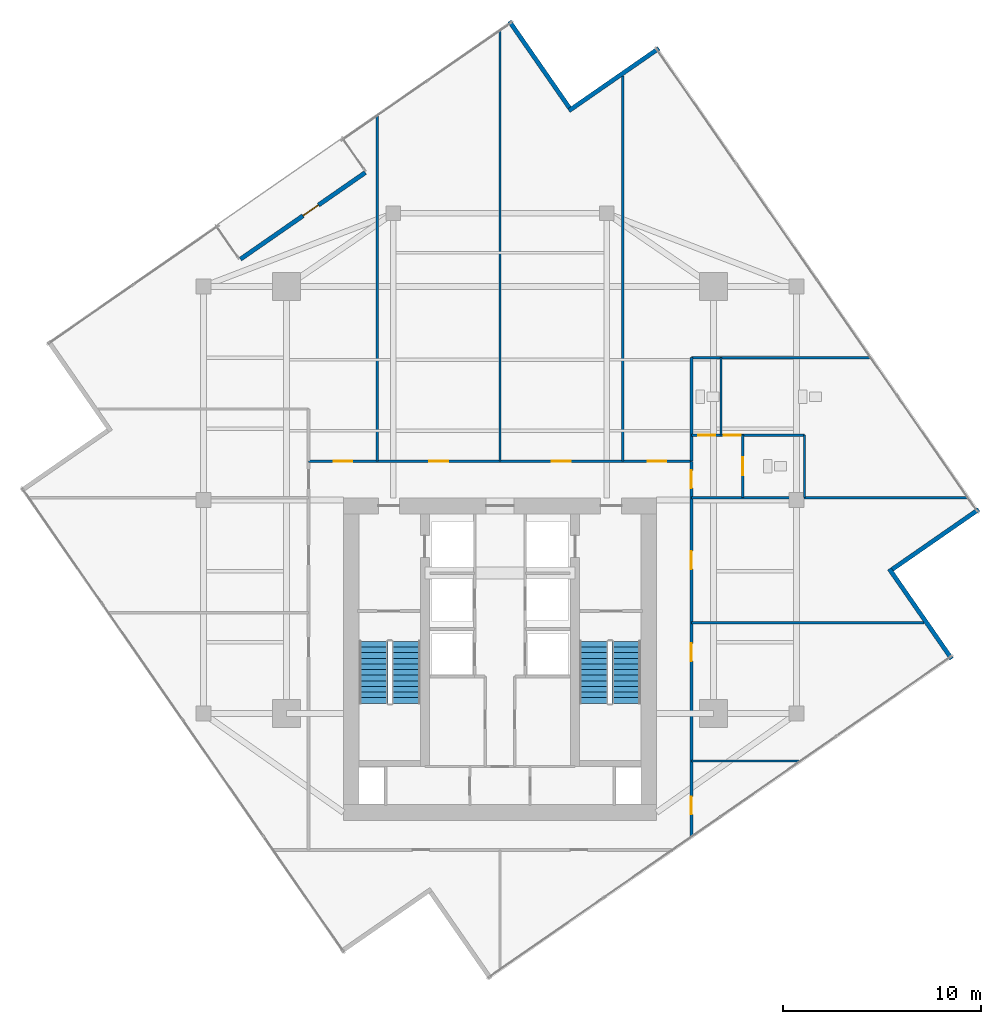
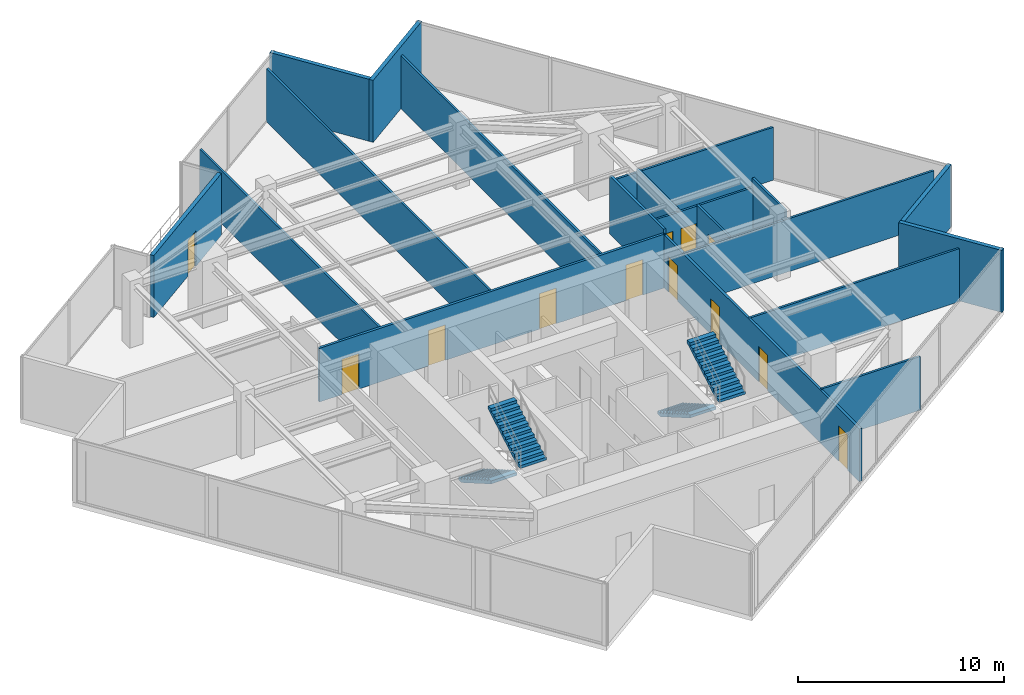
# One storey, part 19 of 21: 19 walls, 12 doors, 4 stair flights, 12 openings, 2 elements without a shape of their own.
"""IFC4 building model written with IfcOpenShell, lengths in metres."""

from ifc_helpers import new_model, si_unit, direction, frame, frame_2d, origin, place, context, subcontext, project, spatial, polyline, rectangle, outline, extrude, material, layer, layer_set, type_object, element, fill, aggregate, save


model = new_model("IFC4")

# Units and contexts
model_context = context("Model", 3, precision=1e-05, world=origin(), true_north=direction((0.0, 1.0)))
body_context = subcontext(model_context, "Body", "Model", "MODEL_VIEW")
ifc_project = project(units=[si_unit("LENGTHUNIT", "METRE"), si_unit("AREAUNIT", "SQUARE_METRE"), si_unit("VOLUMEUNIT", "CUBIC_METRE"), si_unit("PLANEANGLEUNIT", "RADIAN"), si_unit("MASSUNIT", "GRAM", prefix="KILO")], contexts=[model_context])

# Site, building, storey
site_placement = place(None, origin())
site = spatial("IfcSite", under=ifc_project, at=site_placement, CompositionType="ELEMENT")
building_placement = place(site_placement, origin())
building = spatial("IfcBuilding", under=site, at=building_placement, Name="Krantzveldt Concourse Tower", CompositionType="ELEMENT")
storey_placement = place(building_placement, frame((0.0, 0.0, 271.35009765625)))
storey = spatial("IfcBuildingStorey", under=building, at=storey_placement, Name="L66", CompositionType="ELEMENT", Elevation=271.35009765625)

# Wall
ifc_material_1 = material(Name="Anodised aluminium 6063-T6", Category="aluminium")
ifc_layer_1 = layer(ifc_material_1, 0.219970703125, Name="Anodised aluminium 6063-T6", Category="aluminium")
ifc_layer_set_1 = layer_set([ifc_layer_1], Name="Anodised aluminium 6063-T6 (WL-EXT-NOTCH220)")
wall_type_1 = type_object("IfcWallType", Name="WL-EXT-NOTCH220", PredefinedType="ELEMENTEDWALL", material=ifc_layer_set_1)
wall_1_placement = place(storey_placement, frame((39.50830078125, 46.537841796875, 0.0), z_axis=(0.0, 0.0, 1.0), x_axis=(-0.570020283612, 0.821630620334, 0.0)))
element("IfcWall", 1, at=wall_1_placement, inside=storey, type_object=wall_type_1, Name="EW-L66-NCH00", PredefinedType="ELEMENTEDWALL", context=body_context, shape_type="SweptSolid", body=[
    extrude(rectangle(XDim=5.3251953125, YDim=0.219970703125, at=frame_2d((2.66259765625, 0.0))), origin(), (0.0, 0.0, 1.0), 3.669921875),
])

# Wall, opening, door
wall_2_placement = place(storey_placement, frame((22.87158203125, 38.87890625, 0.0), z_axis=(0.0, 0.0, 1.0), x_axis=(0.821640913491, 0.570005446709, 0.0)))
wall_2 = element("IfcWall", 2, at=wall_2_placement, inside=storey, type_object=wall_type_1, Name="EW-L66-TSLOT", PredefinedType="ELEMENTEDWALL", context=body_context, shape_type="SweptSolid", body=[
    extrude(rectangle(XDim=7.68994140625, YDim=0.219970703125, at=frame_2d((3.844970703125, 0.0))), origin(), (0.0, 0.0, 1.0), 3.669921875),
])
opening_1_placement = place(wall_2_placement, frame((3.856689453125, 0.0, 0.0)))
opening_1 = element("IfcOpeningElement", 3, at=opening_1_placement, cuts=wall_2, Name="Opening D-EX95", PredefinedType="OPENING", context=body_context, shape_type="SweptSolid", body=[
    extrude(rectangle(XDim=0.949951171875, YDim=2.10009765625, at=frame_2d((0.47509765625, 1.050048828125))), frame((0.0, 0.1201171875, 0.0), z_axis=(0.0, -1.0, 0.0), x_axis=(1.0, 0.0, 0.0)), (0.0, 0.0, 1.0), 0.239990234375),
])
door_type_1 = type_object("IfcDoorType", Name="DR-EXT-950", OperationType="SINGLE_SWING_LEFT", PredefinedType="DOOR", material=ifc_material_1)
door_1_placement = place(opening_1_placement, origin())
door_1 = element("IfcDoor", 4, at=door_1_placement, inside=storey, type_object=door_type_1, Name="DR-L66-TERR", OperationType="SINGLE_SWING_LEFT", OverallHeight=2.10009765625, OverallWidth=0.949951171875, PredefinedType="DOOR", context=body_context, shape_type="SweptSolid", body=[
    extrude(rectangle(XDim=0.949951171875, YDim=2.10009765625, at=frame_2d((0.47509765625, 1.050048828125))), frame((0.0, 0.02490234375, 0.0), z_axis=(0.0, -1.0, 0.0), x_axis=(1.0, 0.0, 0.0)), (0.0, 0.0, 1.0), 0.050048828125),
])
fill(opening_1, door_1)

# Walls
wall_3_placement = place(storey_placement, frame((58.845458984375, 18.663330078125, 0.0), z_axis=(0.0, 0.0, 1.0), x_axis=(-0.569988141022, 0.821652918874, 0.0)))
element("IfcWall", 5, at=wall_3_placement, inside=storey, type_object=wall_type_1, Name="EW-L66-NCH12", PredefinedType="ELEMENTEDWALL", context=body_context, shape_type="SweptSolid", body=[
    extrude(rectangle(XDim=5.545166015625, YDim=0.219970703125, at=frame_2d((2.7724609375, 0.0))), origin(), (0.0, 0.0, 1.0), 3.669921875),
])
wall_4_placement = place(storey_placement, frame((55.837890625, 23.19189453125, 0.0), z_axis=(0.0, 0.0, 1.0), x_axis=(0.821652092748, 0.569989331903, 0.0)))
element("IfcWall", 6, at=wall_4_placement, inside=storey, type_object=wall_type_1, Name="EW-L66-NCH13", PredefinedType="ELEMENTEDWALL", context=body_context, shape_type="SweptSolid", body=[
    extrude(rectangle(XDim=5.324951171875, YDim=0.219970703125, at=frame_2d((2.66259765625, 0.0))), origin(), (0.0, 0.0, 1.0), 3.669921875),
])
wall_5_placement = place(storey_placement, frame((44.03662109375, 49.54541015625, 0.0), z_axis=(0.0, 0.0, 1.0), x_axis=(-0.821652918874, -0.569988141022, 0.0)))
element("IfcWall", 7, at=wall_5_placement, inside=storey, type_object=wall_type_1, Name="EW-L66-NCH15", PredefinedType="ELEMENTEDWALL", context=body_context, shape_type="SweptSolid", body=[
    extrude(rectangle(XDim=5.545166015625, YDim=0.219970703125, at=frame_2d((2.7724609375, 0.0))), origin(), (0.0, 0.0, 1.0), 3.669921875),
])
ifc_material_2 = material(Name="Fire-rated gypsum plasterboard on steel stud", Category="steel")
ifc_layer_2 = layer(ifc_material_2, 0.1201171875, Name="Fire-rated gypsum plasterboard on steel stud", Category="steel")
ifc_layer_set_2 = layer_set([ifc_layer_2], Name="Fire-rated gypsum plasterboard on steel stud (WL-PART-120)")
wall_type_2 = type_object("IfcWallType", Name="WL-PART-120", PredefinedType="PARTITIONING", material=ifc_layer_set_2)
wall_6_placement = place(storey_placement, frame((45.679931640625, 26.820068359375, 0.0), z_axis=(0.0, 0.0, 1.0), x_axis=(1.0, 0.0, 0.0)))
element("IfcWall", 8, at=wall_6_placement, inside=storey, type_object=wall_type_2, Name="WP-L66-WCBS", PredefinedType="PARTITIONING", context=body_context, shape_type="SweptSolid", body=[
    extrude(rectangle(XDim=13.981689453125, YDim=0.1201171875, at=frame_2d((6.99072265625, 0.0))), origin(), (0.0, 0.0, 1.0), 3.1298828125),
])
wall_7_placement = place(storey_placement, frame((45.679931640625, 33.89990234375, 0.0), z_axis=(0.0, 0.0, 1.0), x_axis=(1.0, 0.0, 0.0)))
element("IfcWall", 9, at=wall_7_placement, inside=storey, type_object=wall_type_2, Name="WP-L66-WCBN", PredefinedType="PARTITIONING", context=body_context, shape_type="SweptSolid", body=[
    extrude(rectangle(XDim=9.0703125, YDim=0.1201171875, at=frame_2d((4.53515625, 0.0))), origin(), (0.0, 0.0, 1.0), 3.1298828125),
])

# Wall, openings, doors
wall_8_placement = place(storey_placement, frame((45.679931640625, 29.97998046875, 0.0), z_axis=(0.0, 0.0, 1.0), x_axis=(1.0, 0.0, 0.0)))
wall_8 = element("IfcWall", 10, at=wall_8_placement, inside=storey, type_object=wall_type_2, Name="WP-L66-WCMH", PredefinedType="PARTITIONING", context=body_context, shape_type="SweptSolid", body=[
    extrude(rectangle(XDim=5.719970703125, YDim=0.1201171875, at=frame_2d((2.85986328125, 0.0))), origin(), (0.0, 0.0, 1.0), 3.1298828125),
])
opening_2_placement = place(wall_8_placement, frame((1.64501953125, 0.0, 0.0)))
opening_2 = element("IfcOpeningElement", 11, at=opening_2_placement, cuts=wall_8, Name="Opening D-IN085", PredefinedType="OPENING", context=body_context, shape_type="SweptSolid", body=[
    extrude(rectangle(XDim=0.85009765625, YDim=2.10009765625, at=frame_2d((0.425048828125, 1.050048828125))), frame((0.0, 0.070068359375, 0.0), z_axis=(0.0, -1.0, 0.0), x_axis=(1.0, 0.0, 0.0)), (0.0, 0.0, 1.0), 0.14013671875),
])
opening_3_placement = place(wall_8_placement, frame((0.344970703125, 0.0, 0.0)))
opening_3 = element("IfcOpeningElement", 12, at=opening_3_placement, cuts=wall_8, Name="Opening D-IN085", PredefinedType="OPENING", context=body_context, shape_type="SweptSolid", body=[
    extrude(rectangle(XDim=0.85009765625, YDim=2.10009765625, at=frame_2d((0.425048828125, 1.050048828125))), frame((0.0, 0.070068359375, 0.0), z_axis=(0.0, -1.0, 0.0), x_axis=(1.0, 0.0, 0.0)), (0.0, 0.0, 1.0), 0.14013671875),
])
ifc_material_3 = material(Name="Hardwood timber", Category="wood")
door_type_2 = type_object("IfcDoorType", Name="DR-INT-850", OperationType="SINGLE_SWING_LEFT", PredefinedType="DOOR", material=ifc_material_3)
door_2_placement = place(opening_2_placement, origin())
door_2 = element("IfcDoor", 13, at=door_2_placement, inside=storey, type_object=door_type_2, Name="DR-L66-WCM", OperationType="SINGLE_SWING_RIGHT", OverallHeight=2.10009765625, OverallWidth=0.85009765625, PredefinedType="DOOR", context=body_context, shape_type="SweptSolid", body=[
    extrude(rectangle(XDim=0.85009765625, YDim=2.10009765625, at=frame_2d((0.425048828125, 1.050048828125))), frame((0.0, 0.02490234375, 0.0), z_axis=(0.0, -1.0, 0.0), x_axis=(1.0, 0.0, 0.0)), (0.0, 0.0, 1.0), 0.050048828125),
])
fill(opening_2, door_2)
door_3_placement = place(opening_3_placement, origin())
door_3 = element("IfcDoor", 14, at=door_3_placement, inside=storey, type_object=door_type_2, Name="DR-L66-WCF", OperationType="SINGLE_SWING_LEFT", OverallHeight=2.10009765625, OverallWidth=0.85009765625, PredefinedType="DOOR", context=body_context, shape_type="SweptSolid", body=[
    extrude(rectangle(XDim=0.85009765625, YDim=2.10009765625, at=frame_2d((0.425048828125, 1.050048828125))), frame((0.0, 0.02490234375, 0.0), z_axis=(0.0, -1.0, 0.0), x_axis=(1.0, 0.0, 0.0)), (0.0, 0.0, 1.0), 0.050048828125),
])
fill(opening_3, door_3)

# Wall
wall_9_placement = place(storey_placement, frame((51.39990234375, 26.820068359375, 0.0), z_axis=(0.0, 0.0, 1.0), x_axis=(0.0, 1.0, 0.0)))
element("IfcWall", 15, at=wall_9_placement, inside=storey, type_object=wall_type_2, Name="WP-L66-WCAR", PredefinedType="PARTITIONING", context=body_context, shape_type="SweptSolid", body=[
    extrude(rectangle(XDim=3.159912109375, YDim=0.1201171875, at=frame_2d((1.580078125, 0.0))), origin(), (0.0, 0.0, 1.0), 3.669921875),
])

# Wall, opening, door
wall_10_placement = place(storey_placement, frame((48.280029296875, 26.820068359375, 0.0), z_axis=(0.0, 0.0, 1.0), x_axis=(0.0, 1.0, 0.0)))
wall_10 = element("IfcWall", 16, at=wall_10_placement, inside=storey, type_object=wall_type_2, Name="WP-L66-WCAV", PredefinedType="PARTITIONING", context=body_context, shape_type="SweptSolid", body=[
    extrude(rectangle(XDim=3.159912109375, YDim=0.1201171875, at=frame_2d((1.580078125, 0.0))), origin(), (0.0, 0.0, 1.0), 3.179931640625),
])
opening_4_placement = place(wall_10_placement, frame((1.1298828125, 0.0, 0.0)))
opening_4 = element("IfcOpeningElement", 17, at=opening_4_placement, cuts=wall_10, Name="Opening D-IN090", PredefinedType="OPENING", context=body_context, shape_type="SweptSolid", body=[
    extrude(rectangle(XDim=0.89990234375, YDim=2.10009765625, at=frame_2d((0.449951171875, 1.050048828125))), frame((0.0, 0.070068359375, 0.0), z_axis=(0.0, -1.0, 0.0), x_axis=(1.0, 0.0, 0.0)), (0.0, 0.0, 1.0), 0.14013671875),
])
door_type_3 = type_object("IfcDoorType", Name="DR-INT-900", OperationType="SINGLE_SWING_LEFT", PredefinedType="DOOR", material=ifc_material_3)
door_4_placement = place(opening_4_placement, origin())
door_4 = element("IfcDoor", 18, at=door_4_placement, inside=storey, type_object=door_type_3, Name="DR-L66-WCA", OperationType="SINGLE_SWING_RIGHT", OverallHeight=2.10009765625, OverallWidth=0.89990234375, PredefinedType="DOOR", context=body_context, shape_type="SweptSolid", body=[
    extrude(rectangle(XDim=0.89990234375, YDim=2.10009765625, at=frame_2d((0.449951171875, 1.050048828125))), frame((0.0, 0.02490234375, 0.0), z_axis=(0.0, -1.0, 0.0), x_axis=(1.0, 0.0, 0.0)), (0.0, 0.0, 1.0), 0.050048828125),
])
fill(opening_4, door_4)

# Walls
wall_11_placement = place(storey_placement, frame((47.179931640625, 29.97998046875, 0.0), z_axis=(0.0, 0.0, 1.0), x_axis=(0.0, 1.0, 0.0)))
element("IfcWall", 19, at=wall_11_placement, inside=storey, type_object=wall_type_2, Name="WP-L66-WCFD", PredefinedType="PARTITIONING", context=body_context, shape_type="SweptSolid", body=[
    extrude(rectangle(XDim=3.919921875, YDim=0.1201171875, at=frame_2d((1.9599609375, 0.0))), origin(), (0.0, 0.0, 1.0), 3.309814453125),
])
wall_12_placement = place(storey_placement, frame((29.800048828125, 28.659912109375, 0.0), z_axis=(0.0, 0.0, 1.0), x_axis=(0.0, 1.0, 0.0)))
element("IfcWall", 20, at=wall_12_placement, inside=storey, type_object=wall_type_2, Name="WP-L66-ND1", PredefinedType="PARTITIONING", context=body_context, shape_type="SweptSolid", body=[
    extrude(rectangle(XDim=17.48388671875, YDim=0.1201171875, at=frame_2d((8.741943359375, 0.0))), origin(), (0.0, 0.0, 1.0), 3.1298828125),
])
wall_13_placement = place(storey_placement, frame((36.0, 28.659912109375, 0.0), z_axis=(0.0, 0.0, 1.0), x_axis=(0.0, 1.0, 0.0)))
element("IfcWall", 21, at=wall_13_placement, inside=storey, type_object=wall_type_2, Name="WP-L66-ND2", PredefinedType="PARTITIONING", context=body_context, shape_type="SweptSolid", body=[
    extrude(rectangle(XDim=21.78515625, YDim=0.1201171875, at=frame_2d((10.892578125, 0.0))), origin(), (0.0, 0.0, 1.0), 3.1298828125),
])
wall_14_placement = place(storey_placement, frame((42.199951171875, 28.659912109375, 0.0), z_axis=(0.0, 0.0, 1.0), x_axis=(0.0, 1.0, 0.0)))
element("IfcWall", 22, at=wall_14_placement, inside=storey, type_object=wall_type_2, Name="WP-L66-ND3", PredefinedType="PARTITIONING", context=body_context, shape_type="SweptSolid", body=[
    extrude(rectangle(XDim=19.471435546875, YDim=0.1201171875, at=frame_2d((9.73583984375, 0.0))), origin(), (0.0, 0.0, 1.0), 3.1298828125),
])
wall_15_placement = place(storey_placement, frame((45.679931640625, 13.5, 0.0), z_axis=(0.0, 0.0, 1.0), x_axis=(1.0, 0.0, 0.0)))
element("IfcWall", 23, at=wall_15_placement, inside=storey, type_object=wall_type_2, Name="WP-L66-ED1", PredefinedType="PARTITIONING", context=body_context, shape_type="SweptSolid", body=[
    extrude(rectangle(XDim=5.5205078125, YDim=0.1201171875, at=frame_2d((2.76025390625, 0.0))), origin(), (0.0, 0.0, 1.0), 3.179931640625),
])
wall_16_placement = place(storey_placement, frame((45.679931640625, 20.5, 0.0), z_axis=(0.0, 0.0, 1.0), x_axis=(1.0, 0.0, 0.0)))
element("IfcWall", 24, at=wall_16_placement, inside=storey, type_object=wall_type_2, Name="WP-L66-ED2", PredefinedType="PARTITIONING", context=body_context, shape_type="SweptSolid", body=[
    extrude(rectangle(XDim=11.75146484375, YDim=0.1201171875, at=frame_2d((5.875732421875, 0.0))), origin(), (0.0, 0.0, 1.0), 3.1298828125),
])

# Wall, openings, doors
ifc_layer_3 = layer(ifc_material_2, 0.139892578125, Name="Fire-rated gypsum plasterboard on steel stud", Category="steel")
ifc_layer_set_3 = layer_set([ifc_layer_3], Name="Fire-rated gypsum plasterboard on steel stud (WL-PART-140)")
wall_type_3 = type_object("IfcWallType", Name="WL-PART-140", PredefinedType="PARTITIONING", material=ifc_layer_set_3)
wall_17_placement = place(storey_placement, frame((26.320068359375, 28.659912109375, 0.0), z_axis=(0.0, 0.0, 1.0), x_axis=(1.0, 0.0, 0.0)))
wall_17 = element("IfcWall", 25, at=wall_17_placement, inside=storey, type_object=wall_type_3, Name="WP-L66-CNHDR", PredefinedType="PARTITIONING", context=body_context, shape_type="SweptSolid", body=[
    extrude(rectangle(XDim=19.35986328125, YDim=0.139892578125, at=frame_2d((9.679931640625, 0.0))), origin(), (0.0, 0.0, 1.0), 3.179931640625),
])
opening_5_placement = place(wall_17_placement, frame((1.264892578125, 0.0, 0.0)))
opening_5 = element("IfcOpeningElement", 26, at=opening_5_placement, cuts=wall_17, Name="Opening D-IN095", PredefinedType="OPENING", context=body_context, shape_type="SweptSolid", body=[
    extrude(rectangle(XDim=0.949951171875, YDim=2.10009765625, at=frame_2d((0.47509765625, 1.050048828125))), frame((0.0, 0.080078125, 0.0), z_axis=(0.0, -1.0, 0.0), x_axis=(1.0, 0.0, 0.0)), (0.0, 0.0, 1.0), 0.159912109375),
])
opening_6_placement = place(wall_17_placement, frame((6.10498046875, 0.0, 0.0)))
opening_6 = element("IfcOpeningElement", 27, at=opening_6_placement, cuts=wall_17, Name="Opening D-IN095", PredefinedType="OPENING", context=body_context, shape_type="SweptSolid", body=[
    extrude(rectangle(XDim=0.949951171875, YDim=2.10009765625, at=frame_2d((0.47509765625, 1.050048828125))), frame((0.0, 0.080078125, 0.0), z_axis=(0.0, -1.0, 0.0), x_axis=(1.0, 0.0, 0.0)), (0.0, 0.0, 1.0), 0.159912109375),
])
opening_7_placement = place(wall_17_placement, frame((12.304931640625, 0.0, 0.0)))
opening_7 = element("IfcOpeningElement", 28, at=opening_7_placement, cuts=wall_17, Name="Opening D-IN095", PredefinedType="OPENING", context=body_context, shape_type="SweptSolid", body=[
    extrude(rectangle(XDim=0.949951171875, YDim=2.10009765625, at=frame_2d((0.47509765625, 1.050048828125))), frame((0.0, 0.080078125, 0.0), z_axis=(0.0, -1.0, 0.0), x_axis=(1.0, 0.0, 0.0)), (0.0, 0.0, 1.0), 0.159912109375),
])
opening_8_placement = place(wall_17_placement, frame((17.14501953125, 0.0, 0.0)))
opening_8 = element("IfcOpeningElement", 29, at=opening_8_placement, cuts=wall_17, Name="Opening D-IN095", PredefinedType="OPENING", context=body_context, shape_type="SweptSolid", body=[
    extrude(rectangle(XDim=0.949951171875, YDim=2.10009765625, at=frame_2d((0.47509765625, 1.050048828125))), frame((0.0, 0.080078125, 0.0), z_axis=(0.0, -1.0, 0.0), x_axis=(1.0, 0.0, 0.0)), (0.0, 0.0, 1.0), 0.159912109375),
])
door_type_4 = type_object("IfcDoorType", Name="DR-INT-950", OperationType="SINGLE_SWING_LEFT", PredefinedType="DOOR", material=ifc_material_3)
door_5_placement = place(opening_5_placement, origin())
door_5 = element("IfcDoor", 30, at=door_5_placement, inside=storey, type_object=door_type_4, Name="DR-L66-NR1", OperationType="SINGLE_SWING_LEFT", OverallHeight=2.10009765625, OverallWidth=0.949951171875, PredefinedType="DOOR", context=body_context, shape_type="SweptSolid", body=[
    extrude(rectangle(XDim=0.949951171875, YDim=2.10009765625, at=frame_2d((0.47509765625, 1.050048828125))), frame((0.0, 0.02490234375, 0.0), z_axis=(0.0, -1.0, 0.0), x_axis=(1.0, 0.0, 0.0)), (0.0, 0.0, 1.0), 0.050048828125),
])
fill(opening_5, door_5)
door_6_placement = place(opening_6_placement, origin())
door_6 = element("IfcDoor", 31, at=door_6_placement, inside=storey, type_object=door_type_4, Name="DR-L66-NR2", OperationType="SINGLE_SWING_LEFT", OverallHeight=2.10009765625, OverallWidth=0.949951171875, PredefinedType="DOOR", context=body_context, shape_type="SweptSolid", body=[
    extrude(rectangle(XDim=0.949951171875, YDim=2.10009765625, at=frame_2d((0.47509765625, 1.050048828125))), frame((0.0, 0.02490234375, 0.0), z_axis=(0.0, -1.0, 0.0), x_axis=(1.0, 0.0, 0.0)), (0.0, 0.0, 1.0), 0.050048828125),
])
fill(opening_6, door_6)
door_7_placement = place(opening_7_placement, origin())
door_7 = element("IfcDoor", 32, at=door_7_placement, inside=storey, type_object=door_type_4, Name="DR-L66-NR3", OperationType="SINGLE_SWING_LEFT", OverallHeight=2.10009765625, OverallWidth=0.949951171875, PredefinedType="DOOR", context=body_context, shape_type="SweptSolid", body=[
    extrude(rectangle(XDim=0.949951171875, YDim=2.10009765625, at=frame_2d((0.47509765625, 1.050048828125))), frame((0.0, 0.02490234375, 0.0), z_axis=(0.0, -1.0, 0.0), x_axis=(1.0, 0.0, 0.0)), (0.0, 0.0, 1.0), 0.050048828125),
])
fill(opening_7, door_7)
door_8_placement = place(opening_8_placement, origin())
door_8 = element("IfcDoor", 33, at=door_8_placement, inside=storey, type_object=door_type_4, Name="DR-L66-NR4", OperationType="SINGLE_SWING_LEFT", OverallHeight=2.10009765625, OverallWidth=0.949951171875, PredefinedType="DOOR", context=body_context, shape_type="SweptSolid", body=[
    extrude(rectangle(XDim=0.949951171875, YDim=2.10009765625, at=frame_2d((0.47509765625, 1.050048828125))), frame((0.0, 0.02490234375, 0.0), z_axis=(0.0, -1.0, 0.0), x_axis=(1.0, 0.0, 0.0)), (0.0, 0.0, 1.0), 0.050048828125),
])
fill(opening_8, door_8)

wall_18_placement = place(storey_placement, frame((45.679931640625, 9.67041015625, 0.0), z_axis=(0.0, 0.0, 1.0), x_axis=(0.0, 1.0, 0.0)))
wall_18 = element("IfcWall", 34, at=wall_18_placement, inside=storey, type_object=wall_type_3, Name="WP-L66-CEAST", PredefinedType="PARTITIONING", context=body_context, shape_type="SweptSolid", body=[
    extrude(rectangle(XDim=18.989501953125, YDim=0.139892578125, at=frame_2d((9.49462890625, 0.0))), origin(), (0.0, 0.0, 1.0), 3.1298828125),
])
opening_9_placement = place(wall_18_placement, frame((17.629638671875, 0.0, 0.0)))
opening_9 = element("IfcOpeningElement", 35, at=opening_9_placement, cuts=wall_18, Name="Opening D-IN090", PredefinedType="OPENING", context=body_context, shape_type="SweptSolid", body=[
    extrude(rectangle(XDim=0.89990234375, YDim=2.10009765625, at=frame_2d((0.449951171875, 1.050048828125))), frame((0.0, 0.080078125, 0.0), z_axis=(0.0, -1.0, 0.0), x_axis=(1.0, 0.0, 0.0)), (0.0, 0.0, 1.0), 0.159912109375),
])
opening_10_placement = place(wall_18_placement, frame((1.129638671875, 0.0, 0.0)))
opening_10 = element("IfcOpeningElement", 36, at=opening_10_placement, cuts=wall_18, Name="Opening D-IN090", PredefinedType="OPENING", context=body_context, shape_type="SweptSolid", body=[
    extrude(rectangle(XDim=0.89990234375, YDim=2.10009765625, at=frame_2d((0.449951171875, 1.050048828125))), frame((0.0, 0.080078125, 0.0), z_axis=(0.0, -1.0, 0.0), x_axis=(1.0, 0.0, 0.0)), (0.0, 0.0, 1.0), 0.159912109375),
])
opening_11_placement = place(wall_18_placement, frame((8.879638671875, 0.0, 0.0)))
opening_11 = element("IfcOpeningElement", 37, at=opening_11_placement, cuts=wall_18, Name="Opening D-IN090", PredefinedType="OPENING", context=body_context, shape_type="SweptSolid", body=[
    extrude(rectangle(XDim=0.89990234375, YDim=2.10009765625, at=frame_2d((0.449951171875, 1.050048828125))), frame((0.0, 0.080078125, 0.0), z_axis=(0.0, -1.0, 0.0), x_axis=(1.0, 0.0, 0.0)), (0.0, 0.0, 1.0), 0.159912109375),
])
opening_12_placement = place(wall_18_placement, frame((13.539794921875, 0.0, 0.0)))
opening_12 = element("IfcOpeningElement", 38, at=opening_12_placement, cuts=wall_18, Name="Opening D-IN090", PredefinedType="OPENING", context=body_context, shape_type="SweptSolid", body=[
    extrude(rectangle(XDim=0.89990234375, YDim=2.10009765625, at=frame_2d((0.449951171875, 1.050048828125))), frame((0.0, 0.080078125, 0.0), z_axis=(0.0, -1.0, 0.0), x_axis=(1.0, 0.0, 0.0)), (0.0, 0.0, 1.0), 0.159912109375),
])
door_9_placement = place(opening_9_placement, origin())
door_9 = element("IfcDoor", 39, at=door_9_placement, inside=storey, type_object=door_type_3, Name="DR-L66-WCV", OperationType="SINGLE_SWING_RIGHT", OverallHeight=2.10009765625, OverallWidth=0.89990234375, PredefinedType="DOOR", context=body_context, shape_type="SweptSolid", body=[
    extrude(rectangle(XDim=0.89990234375, YDim=2.10009765625, at=frame_2d((0.449951171875, 1.050048828125))), frame((0.0, 0.02490234375, 0.0), z_axis=(0.0, -1.0, 0.0), x_axis=(1.0, 0.0, 0.0)), (0.0, 0.0, 1.0), 0.050048828125),
])
fill(opening_9, door_9)
door_10_placement = place(opening_10_placement, origin())
door_10 = element("IfcDoor", 40, at=door_10_placement, inside=storey, type_object=door_type_3, Name="DR-L66-ER1", OperationType="SINGLE_SWING_LEFT", OverallHeight=2.10009765625, OverallWidth=0.89990234375, PredefinedType="DOOR", context=body_context, shape_type="SweptSolid", body=[
    extrude(rectangle(XDim=0.89990234375, YDim=2.10009765625, at=frame_2d((0.449951171875, 1.050048828125))), frame((0.0, 0.02490234375, 0.0), z_axis=(0.0, -1.0, 0.0), x_axis=(1.0, 0.0, 0.0)), (0.0, 0.0, 1.0), 0.050048828125),
])
fill(opening_10, door_10)
door_11_placement = place(opening_11_placement, origin())
door_11 = element("IfcDoor", 41, at=door_11_placement, inside=storey, type_object=door_type_3, Name="DR-L66-ER2", OperationType="SINGLE_SWING_LEFT", OverallHeight=2.10009765625, OverallWidth=0.89990234375, PredefinedType="DOOR", context=body_context, shape_type="SweptSolid", body=[
    extrude(rectangle(XDim=0.89990234375, YDim=2.10009765625, at=frame_2d((0.449951171875, 1.050048828125))), frame((0.0, 0.02490234375, 0.0), z_axis=(0.0, -1.0, 0.0), x_axis=(1.0, 0.0, 0.0)), (0.0, 0.0, 1.0), 0.050048828125),
])
fill(opening_11, door_11)
door_12_placement = place(opening_12_placement, origin())
door_12 = element("IfcDoor", 42, at=door_12_placement, inside=storey, type_object=door_type_3, Name="DR-L66-ER3", OperationType="SINGLE_SWING_LEFT", OverallHeight=2.10009765625, OverallWidth=0.89990234375, PredefinedType="DOOR", context=body_context, shape_type="SweptSolid", body=[
    extrude(rectangle(XDim=0.89990234375, YDim=2.10009765625, at=frame_2d((0.449951171875, 1.050048828125))), frame((0.0, 0.02490234375, 0.0), z_axis=(0.0, -1.0, 0.0), x_axis=(1.0, 0.0, 0.0)), (0.0, 0.0, 1.0), 0.050048828125),
])
fill(opening_12, door_12)

# Wall
wall_19_placement = place(storey_placement, frame((45.679931640625, 28.659912109375, 0.0), z_axis=(0.0, 0.0, 1.0), x_axis=(0.0, 1.0, 0.0)))
element("IfcWall", 43, at=wall_19_placement, inside=storey, type_object=wall_type_3, Name="WP-L66-NER", PredefinedType="PARTITIONING", context=body_context, shape_type="SweptSolid", body=[
    extrude(rectangle(XDim=5.239990234375, YDim=0.139892578125, at=frame_2d((2.6201171875, 0.0))), origin(), (0.0, 0.0, 1.0), 3.429931640625),
])

# Stair, stair flights
ifc_material_4 = material(Name="Precast concrete C40/50", Category="concrete")
stair_type = type_object("IfcStairType", Name="STR-CORE-DOGLEG", PredefinedType="HALF_TURN_STAIR", material=ifc_material_4)
stair_1_placement = place(storey_placement, origin())
stair_1 = element("IfcStair", 44, at=stair_1_placement, inside=storey, type_object=stair_type, Name="L66 Protected Escape Stair ST-1", PredefinedType="HALF_TURN_STAIR")
stair_flight_type = type_object("IfcStairFlightType", Name="STF-CORE-1450", PredefinedType="STRAIGHT", material=ifc_material_4)
stair_flight_1_placement = place(storey_placement, frame((29.60498046875, 19.550048828125, 0.0), z_axis=(0.0, 0.0, 1.0), x_axis=(0.0, -1.0, 0.0)))
stair_flight_1 = element("IfcStairFlight", 45, at=stair_flight_1_placement, type_object=stair_flight_type, Name="ST-1 flight 1", NumberOfRisers=12, NumberOfTreads=11, PredefinedType="STRAIGHT", RiserHeight=0.164583333, TreadLength=0.285, context=body_context, shape_type="SweptSolid", body=[
    extrude(outline(polyline([(0.0, 0.0), (0.0, 0.16455078125), (0.284912109375, 0.16455078125), (0.284912109375, 0.3291015625), (0.570068359375, 0.3291015625), (0.570068359375, 0.49365234375), (0.85498046875, 0.49365234375), (0.85498046875, 0.658447265625), (1.139892578125, 0.658447265625), (1.139892578125, 0.822998046875), (1.425048828125, 0.822998046875), (1.425048828125, 0.987548828125), (1.7099609375, 0.987548828125), (1.7099609375, 1.152099609375), (1.9951171875, 1.152099609375), (1.9951171875, 1.316650390625), (2.280029296875, 1.316650390625), (2.280029296875, 1.481201171875), (2.56494140625, 1.481201171875), (2.56494140625, 1.645751953125), (2.85009765625, 1.645751953125), (2.85009765625, 1.810302734375), (3.135009765625, 1.810302734375), (3.135009765625, 1.97509765625), (3.135009765625, 1.63720703125), (0.2998046875, 0.0), (0.0, 0.0)])), frame((0.0, 0.72509765625, 0.0), z_axis=(0.0, -1.0, 0.0), x_axis=(1.0, 0.0, 0.0)), (0.0, 0.0, 1.0), 1.449951171875),
])
stair_flight_2_placement = place(storey_placement, frame((31.2548828125, 16.4150390625, 1.974853515625), z_axis=(0.0, 0.0, 1.0), x_axis=(0.0, 1.0, 0.0)))
stair_flight_2 = element("IfcStairFlight", 46, at=stair_flight_2_placement, type_object=stair_flight_type, Name="ST-1 flight 2", NumberOfRisers=12, NumberOfTreads=11, PredefinedType="STRAIGHT", RiserHeight=0.164583333, TreadLength=0.285, context=body_context, shape_type="SweptSolid", body=[
    extrude(outline(polyline([(0.0, 0.0), (0.0, 0.16455078125), (0.284912109375, 0.16455078125), (0.284912109375, 0.3291015625), (0.570068359375, 0.3291015625), (0.570068359375, 0.49365234375), (0.85498046875, 0.49365234375), (0.85498046875, 0.658447265625), (1.139892578125, 0.658447265625), (1.139892578125, 0.822998046875), (1.425048828125, 0.822998046875), (1.425048828125, 0.987548828125), (1.7099609375, 0.987548828125), (1.7099609375, 1.152099609375), (1.9951171875, 1.152099609375), (1.9951171875, 1.316650390625), (2.280029296875, 1.316650390625), (2.280029296875, 1.481201171875), (2.56494140625, 1.481201171875), (2.56494140625, 1.645751953125), (2.85009765625, 1.645751953125), (2.85009765625, 1.810302734375), (3.135009765625, 1.810302734375), (3.135009765625, 1.97509765625), (3.135009765625, 1.63720703125), (0.2998046875, 0.0), (0.0, 0.0)])), frame((0.0, 0.72509765625, 0.0), z_axis=(0.0, -1.0, 0.0), x_axis=(1.0, 0.0, 0.0)), (0.0, 0.0, 1.0), 1.449951171875),
])
aggregate(stair_1, [stair_flight_1, stair_flight_2])

stair_2_placement = place(storey_placement, origin())
stair_2 = element("IfcStair", 47, at=stair_2_placement, inside=storey, type_object=stair_type, Name="L66 Protected Escape Stair ST-2", PredefinedType="HALF_TURN_STAIR")
stair_flight_3_placement = place(storey_placement, frame((40.7451171875, 19.550048828125, 0.0), z_axis=(0.0, 0.0, 1.0), x_axis=(0.0, -1.0, 0.0)))
stair_flight_3 = element("IfcStairFlight", 48, at=stair_flight_3_placement, type_object=stair_flight_type, Name="ST-2 flight 1", NumberOfRisers=12, NumberOfTreads=11, PredefinedType="STRAIGHT", RiserHeight=0.164583333, TreadLength=0.285, context=body_context, shape_type="SweptSolid", body=[
    extrude(outline(polyline([(0.0, 0.0), (0.0, 0.16455078125), (0.284912109375, 0.16455078125), (0.284912109375, 0.3291015625), (0.570068359375, 0.3291015625), (0.570068359375, 0.49365234375), (0.85498046875, 0.49365234375), (0.85498046875, 0.658447265625), (1.139892578125, 0.658447265625), (1.139892578125, 0.822998046875), (1.425048828125, 0.822998046875), (1.425048828125, 0.987548828125), (1.7099609375, 0.987548828125), (1.7099609375, 1.152099609375), (1.9951171875, 1.152099609375), (1.9951171875, 1.316650390625), (2.280029296875, 1.316650390625), (2.280029296875, 1.481201171875), (2.56494140625, 1.481201171875), (2.56494140625, 1.645751953125), (2.85009765625, 1.645751953125), (2.85009765625, 1.810302734375), (3.135009765625, 1.810302734375), (3.135009765625, 1.97509765625), (3.135009765625, 1.63720703125), (0.2998046875, 0.0), (0.0, 0.0)])), frame((0.0, 0.72509765625, 0.0), z_axis=(0.0, -1.0, 0.0), x_axis=(1.0, 0.0, 0.0)), (0.0, 0.0, 1.0), 1.449951171875),
])
stair_flight_4_placement = place(storey_placement, frame((42.39501953125, 16.4150390625, 1.974853515625), z_axis=(0.0, 0.0, 1.0), x_axis=(0.0, 1.0, 0.0)))
stair_flight_4 = element("IfcStairFlight", 49, at=stair_flight_4_placement, type_object=stair_flight_type, Name="ST-2 flight 2", NumberOfRisers=12, NumberOfTreads=11, PredefinedType="STRAIGHT", RiserHeight=0.164583333, TreadLength=0.285, context=body_context, shape_type="SweptSolid", body=[
    extrude(outline(polyline([(0.0, 0.0), (0.0, 0.16455078125), (0.284912109375, 0.16455078125), (0.284912109375, 0.3291015625), (0.570068359375, 0.3291015625), (0.570068359375, 0.49365234375), (0.85498046875, 0.49365234375), (0.85498046875, 0.658447265625), (1.139892578125, 0.658447265625), (1.139892578125, 0.822998046875), (1.425048828125, 0.822998046875), (1.425048828125, 0.987548828125), (1.7099609375, 0.987548828125), (1.7099609375, 1.152099609375), (1.9951171875, 1.152099609375), (1.9951171875, 1.316650390625), (2.280029296875, 1.316650390625), (2.280029296875, 1.481201171875), (2.56494140625, 1.481201171875), (2.56494140625, 1.645751953125), (2.85009765625, 1.645751953125), (2.85009765625, 1.810302734375), (3.135009765625, 1.810302734375), (3.135009765625, 1.97509765625), (3.135009765625, 1.63720703125), (0.2998046875, 0.0), (0.0, 0.0)])), frame((0.0, 0.72509765625, 0.0), z_axis=(0.0, -1.0, 0.0), x_axis=(1.0, 0.0, 0.0)), (0.0, 0.0, 1.0), 1.449951171875),
])
aggregate(stair_2, [stair_flight_3, stair_flight_4])

save(model, "model.ifc")
